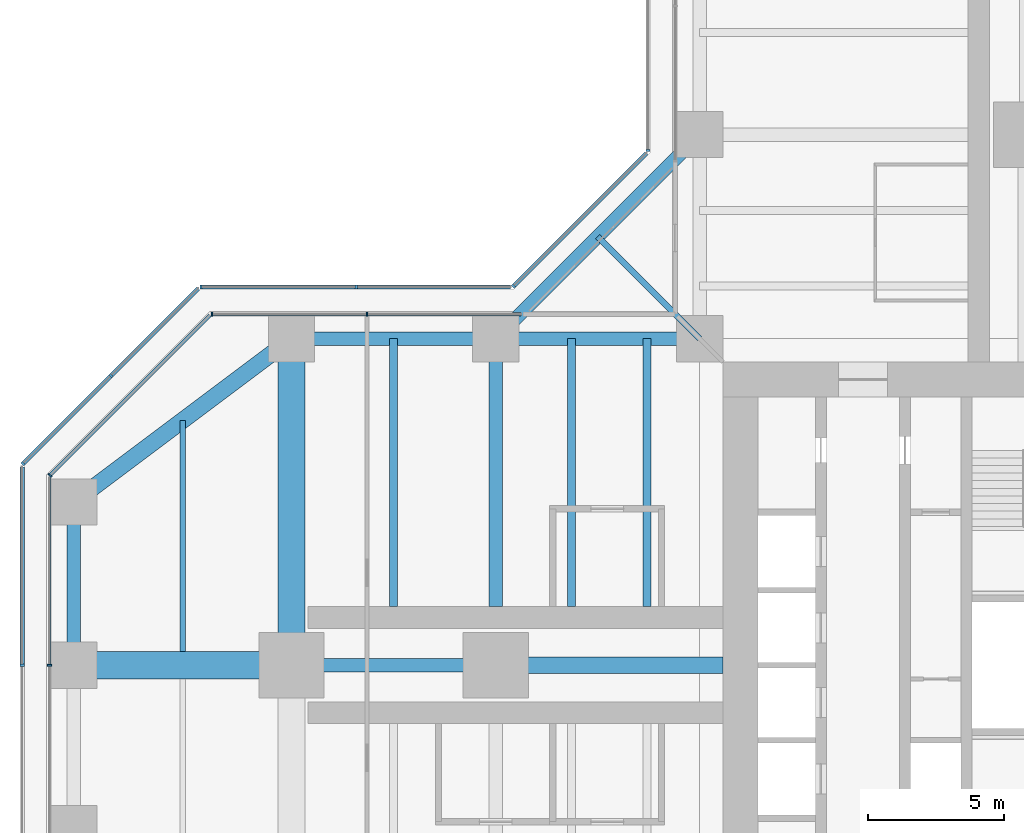
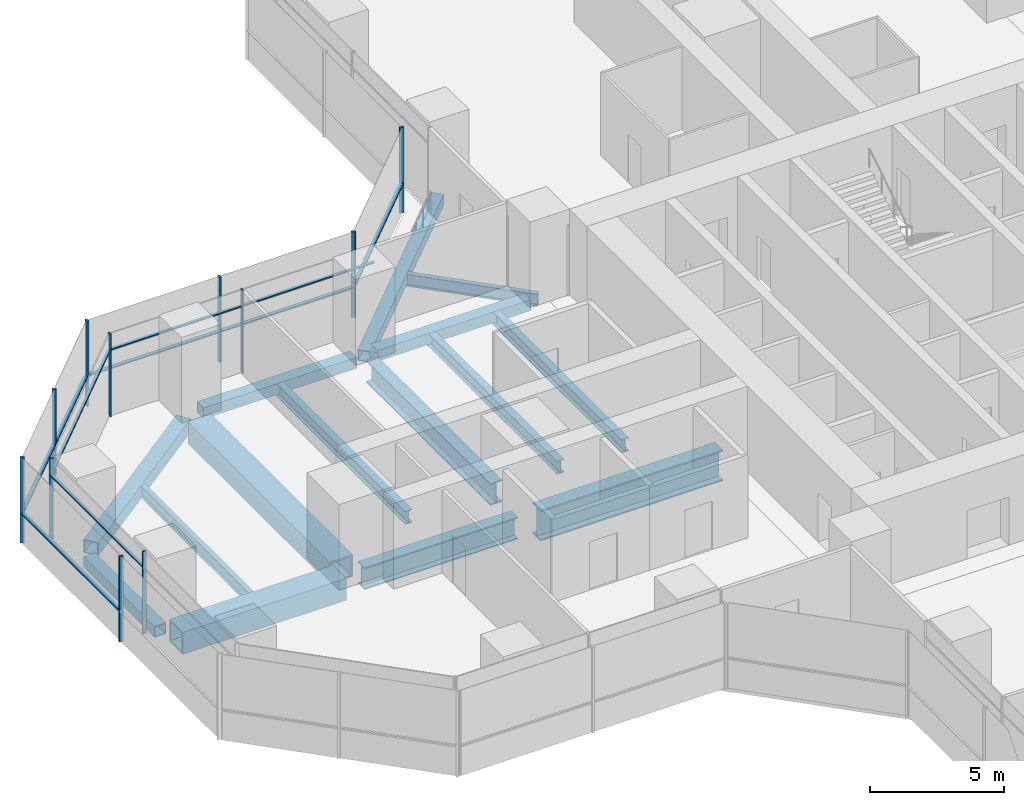
# One storey, part 8 of 22: 21 members, 15 beams, 8 elements without a shape of their own.
"""IFC4 building model written with IfcOpenShell, lengths in metres."""

from ifc_helpers import new_model, si_unit, direction, frame, origin, origin_2d, place, context, subcontext, project, spatial, rectangle, hollow_rectangle, i_section, extrude, material, material_profile, profile_set, type_object, element, aggregate, save


model = new_model("IFC4")

# Units and contexts
model_context = context("Model", 3, precision=1e-05, world=origin(), true_north=direction((0.0, 1.0)))
body_context = subcontext(model_context, "Body", "Model", "MODEL_VIEW")
ifc_project = project(units=[si_unit("LENGTHUNIT", "METRE"), si_unit("AREAUNIT", "SQUARE_METRE"), si_unit("VOLUMEUNIT", "CUBIC_METRE"), si_unit("PLANEANGLEUNIT", "RADIAN"), si_unit("MASSUNIT", "GRAM", prefix="KILO")], contexts=[model_context])

# Site, building, storey
site_placement = place(None, origin())
site = spatial("IfcSite", under=ifc_project, at=site_placement, CompositionType="ELEMENT")
building_placement = place(site_placement, origin())
building = spatial("IfcBuilding", under=site, at=building_placement, Name="Mizan Broadcast Tower", CompositionType="ELEMENT")
storey_placement = place(building_placement, frame((0.0, 0.0, 63.0)))
storey = spatial("IfcBuildingStorey", under=building, at=storey_placement, Name="L12", CompositionType="ELEMENT", Elevation=63.0)

# Beams
ifc_material_1 = material(Name="Steel S355", Category="steel")
ifc_material_profile_1 = material_profile(ifc_material_1, hollow_rectangle(XDim=0.5, YDim=0.5, WallThickness=0.030029296875, at=origin_2d()), Name="BOX 500x500x30")
ifc_profile_set_1 = profile_set([ifc_material_profile_1], Name="Steel S355")
beam_type_1 = type_object("IfcBeamType", Name="EDGE BEAM BOX 500x500x30", PredefinedType="SPANDREL", material=ifc_profile_set_1)
for number, where, z_axis, x_axis, name in (
    (1, (-12.449951171875, 12.0, -0.3798828125), (-1.0, 0.0, 0.0), (0.0, -1.0, 0.0), "Edge beam BOX 500x500x30 L12 west arm"),
    (2, (-19.949951171875, 12.0, -0.3798828125), (-1.0, 0.0, 0.0), (0.0, -1.0, 0.0), "Edge beam BOX 500x500x30 L12 west arm"),
):
    element("IfcBeam", number, at=place(storey_placement, frame(where, z_axis=z_axis, x_axis=x_axis)), inside=storey, type_object=beam_type_1, Name=name, PredefinedType="SPANDREL", context=body_context, shape_type="SweptSolid", body=[
        extrude(hollow_rectangle(XDim=0.5, YDim=0.5, WallThickness=0.030029296875, at=origin_2d()), origin(), (0.0, 0.0, 1.0), 6.60009765625),
    ])
beam_1_placement = place(storey_placement, frame((-35.0, 5.639892578125, -0.3798828125), z_axis=(0.0, -1.0, 0.0), x_axis=(1.0, 0.0, 0.0)))
element("IfcBeam", 3, at=beam_1_placement, inside=storey, type_object=beam_type_1, Name="Edge beam BOX 500x500x30 L12 west arm", PredefinedType="SPANDREL", context=body_context, shape_type="SweptSolid", body=[
    extrude(hollow_rectangle(XDim=0.5, YDim=0.5, WallThickness=0.030029296875, at=origin_2d()), origin(), (0.0, 0.0, 1.0), 5.27978515625),
])
beam_2_placement = place(storey_placement, frame((-12.0, 19.5, -0.3798828125), z_axis=(-0.707106781187, -0.707106781187, 0.0), x_axis=(0.707106781187, -0.707106781187, 0.0)))
element("IfcBeam", 4, at=beam_2_placement, inside=storey, type_object=beam_type_1, Name="Winter garden edge beam L12 N", PredefinedType="SPANDREL", context=body_context, shape_type="SweptSolid", body=[
    extrude(hollow_rectangle(XDim=0.5, YDim=0.5, WallThickness=0.030029296875, at=origin_2d()), origin(), (0.0, 0.0, 1.0), 10.606689453125),
])
ifc_material_2 = material(Name="Steel S355", Category="steel")
ifc_material_profile_2 = material_profile(ifc_material_2, hollow_rectangle(XDim=0.60009765625, YDim=0.60009765625, WallThickness=0.030029296875, at=origin_2d()), Name="BOX 600x600x30")
ifc_profile_set_2 = profile_set([ifc_material_profile_2], Name="Steel S355")
beam_type_2 = type_object("IfcBeamType", Name="EDGE BEAM BOX 600x600x30", PredefinedType="SPANDREL", material=ifc_profile_set_2)
beam_3_placement = place(storey_placement, frame((-27.47998046875, 11.639892578125, -0.429931640625), z_axis=(-0.800013316712, -0.599982243973, 0.0), x_axis=(0.599982243973, -0.800013316712, 0.0)))
element("IfcBeam", 5, at=beam_3_placement, inside=storey, type_object=beam_type_2, Name="Edge beam BOX 600x600x30 L12 west arm", PredefinedType="SPANDREL", context=body_context, shape_type="SweptSolid", body=[
    extrude(hollow_rectangle(XDim=0.60009765625, YDim=0.60009765625, WallThickness=0.030029296875, at=origin_2d()), origin(), (0.0, 0.0, 1.0), 8.7998046875),
])
ifc_material_3 = material(Name="Steel S460", Category="steel")
ifc_material_profile_3 = material_profile(ifc_material_3, hollow_rectangle(XDim=1.0, YDim=1.0, WallThickness=0.06005859375, at=origin_2d()), Name="BOX 1000x1000x60")
ifc_profile_set_3 = profile_set([ifc_material_profile_3], Name="Steel S460")
beam_type_3 = type_object("IfcBeamType", Name="GIRDER BOX 1000x1000x60", PredefinedType="BEAM", material=ifc_profile_set_3)
beam_4_placement = place(storey_placement, frame((-27.47998046875, 0.0, -0.6298828125), z_axis=(-1.0, 0.0, 0.0), x_axis=(0.0, -1.0, 0.0)))
element("IfcBeam", 6, at=beam_4_placement, inside=storey, type_object=beam_type_3, Name="Girder BOX 1000x1000x60 L12 west arm", PredefinedType="BEAM", context=body_context, shape_type="SweptSolid", body=[
    extrude(hollow_rectangle(XDim=1.0, YDim=1.0, WallThickness=0.06005859375, at=origin_2d()), origin(), (0.0, 0.0, 1.0), 7.0400390625),
])
ifc_material_4 = material(Name="Steel S460", Category="steel")
ifc_material_profile_4 = material_profile(ifc_material_4, hollow_rectangle(XDim=1.0, YDim=1.0, WallThickness=0.080078125, at=origin_2d()), Name="BOX 1000x1000x80")
ifc_profile_set_4 = profile_set([ifc_material_profile_4], Name="Steel S460")
beam_type_4 = type_object("IfcBeamType", Name="GIRDER BOX 1000x1000x80", PredefinedType="BEAM", material=ifc_profile_set_4)
beam_5_placement = place(storey_placement, frame((-27.0, 11.280029296875, -0.6298828125), z_axis=(0.0, -1.0, 0.0), x_axis=(1.0, 0.0, 0.0)))
element("IfcBeam", 7, at=beam_5_placement, inside=storey, type_object=beam_type_4, Name="Girder BOX 1000x1000x80 L12 west arm", PredefinedType="BEAM", context=body_context, shape_type="SweptSolid", body=[
    extrude(hollow_rectangle(XDim=1.0, YDim=1.0, WallThickness=0.080078125, at=origin_2d()), origin(), (0.0, 0.0, 1.0), 10.56005859375),
])
ifc_material_5 = material(Name="Steel S460", Category="steel")
ifc_material_profile_5 = material_profile(ifc_material_5, i_section(OverallWidth=0.5, OverallDepth=1.0, WebThickness=0.02490234375, FlangeThickness=0.050048828125, at=origin_2d()), Name="WPG 1000x500")
ifc_profile_set_5 = profile_set([ifc_material_profile_5], Name="Steel S460")
beam_type_5 = type_object("IfcBeamType", Name="GIRDER WPG 1000x500", PredefinedType="BEAM", material=ifc_profile_set_5)
beam_6_placement = place(storey_placement, frame((-19.949951171875, 0.0, -0.6298828125), z_axis=(-1.0, 0.0, 0.0), x_axis=(0.0, -1.0, 0.0)))
element("IfcBeam", 8, at=beam_6_placement, inside=storey, type_object=beam_type_5, Name="Girder WPG 1000x500 L12 west arm", PredefinedType="BEAM", context=body_context, shape_type="SweptSolid", body=[
    extrude(i_section(OverallWidth=0.5, OverallDepth=1.0, WebThickness=0.02490234375, FlangeThickness=0.050048828125, at=origin_2d()), origin(), (0.0, 0.0, 1.0), 6.60009765625),
])
beam_7_placement = place(storey_placement, frame((-19.5, 11.408935546875, -0.6298828125), z_axis=(0.0, -1.0, 0.0), x_axis=(1.0, 0.0, 0.0)))
element("IfcBeam", 9, at=beam_7_placement, inside=storey, type_object=beam_type_5, Name="Girder WPG 1000x500 L12 west arm", PredefinedType="BEAM", context=body_context, shape_type="SweptSolid", body=[
    extrude(i_section(OverallWidth=0.5, OverallDepth=1.0, WebThickness=0.02490234375, FlangeThickness=0.050048828125, at=origin_2d()), origin(), (0.0, 0.0, 1.0), 9.259033203125),
])
ifc_material_6 = material(Name="Steel S460", Category="steel")
ifc_material_profile_6 = material_profile(ifc_material_6, i_section(OverallWidth=0.60009765625, OverallDepth=1.39990234375, WebThickness=0.02490234375, FlangeThickness=0.06005859375, at=origin_2d()), Name="WPG 1400x600")
ifc_profile_set_6 = profile_set([ifc_material_profile_6], Name="Steel S460")
beam_type_6 = type_object("IfcBeamType", Name="GIRDER WPG 1400x600", PredefinedType="BEAM", material=ifc_profile_set_6)
beam_8_placement = place(storey_placement, frame((-11.14990234375, 0.0, -0.830078125), z_axis=(-1.0, 0.0, 0.0), x_axis=(0.0, -1.0, 0.0)))
element("IfcBeam", 10, at=beam_8_placement, inside=storey, type_object=beam_type_6, Name="Girder WPG 1400x600 L12 west arm", PredefinedType="BEAM", context=body_context, shape_type="SweptSolid", body=[
    extrude(i_section(OverallWidth=0.60009765625, OverallDepth=1.39990234375, WebThickness=0.02490234375, FlangeThickness=0.06005859375, at=origin_2d()), origin(), (0.0, 0.0, 1.0), 7.84912109375),
])

# Curtain wall, members
ifc_material_7 = material(Name="Aluminium framed glazing", Category="aluminium")
curtain_wall_type_1 = type_object("IfcCurtainWallType", Name="INNER SKIN LOW ZONE", PredefinedType="USERDEFINED", material=ifc_material_7)
curtain_wall_1_placement = place(storey_placement, origin())
curtain_wall_1 = element("IfcCurtainWall", 11, at=curtain_wall_1_placement, inside=storey, type_object=curtain_wall_type_1, Name="Inner skin low zone L12 W side", ObjectType="INNER SKIN LOW ZONE", PredefinedType="USERDEFINED")
ifc_material_8 = material(Name="Aluminium, pale anodised", Category="aluminium")
ifc_material_profile_7 = material_profile(ifc_material_8, rectangle(XDim=0.159912109375, YDim=0.06005859375, at=origin_2d()), Name="MULLION 160x60")
ifc_profile_set_7 = profile_set([ifc_material_profile_7], Name="Aluminium, pale anodised")
member_type_1 = type_object("IfcMemberType", Name="INNER SKIN MULLION 60x160", PredefinedType="MULLION", material=ifc_profile_set_7)
member_1_placement = place(storey_placement, frame((-24.229248046875, 12.89990234375, 0.0), z_axis=(0.0, 0.0, 1.0), x_axis=(0.0, -1.0, 0.0)))
member_1 = element("IfcMember", 12, at=member_1_placement, type_object=member_type_1, Name="Inner skin low zone L12 W side mullion 2", PredefinedType="MULLION", context=body_context, shape_type="SweptSolid", body=[
    extrude(rectangle(XDim=0.159912109375, YDim=0.06005859375, at=origin_2d()), origin(), (0.0, 0.0, 1.0), 3.77001953125),
])
member_2_placement = place(storey_placement, frame((-29.928466796875, 12.89990234375, 0.0), z_axis=(0.0, 0.0, 1.0), x_axis=(0.0, -1.0, 0.0)))
member_2 = element("IfcMember", 13, at=member_2_placement, type_object=member_type_1, Name="Inner skin low zone L12 W side mullion 3", PredefinedType="MULLION", context=body_context, shape_type="SweptSolid", body=[
    extrude(rectangle(XDim=0.159912109375, YDim=0.06005859375, at=origin_2d()), origin(), (0.0, 0.0, 1.0), 3.77001953125),
])

# Curtain wall, member
curtain_wall_2_placement = place(storey_placement, origin())
curtain_wall_2 = element("IfcCurtainWall", 14, at=curtain_wall_2_placement, inside=storey, type_object=curtain_wall_type_1, Name="Inner skin low zone L12 W chamfer", ObjectType="INNER SKIN LOW ZONE", PredefinedType="USERDEFINED")
member_3_placement = place(storey_placement, frame((-35.87890625, 6.979736328125, 0.0), z_axis=(0.0, 0.0, 1.0), x_axis=(0.707106781187, -0.707106781187, 0.0)))
member_3 = element("IfcMember", 15, at=member_3_placement, type_object=member_type_1, Name="Inner skin low zone L12 W chamfer mullion 2", PredefinedType="MULLION", context=body_context, shape_type="SweptSolid", body=[
    extrude(rectangle(XDim=0.159912109375, YDim=0.06005859375, at=origin_2d()), origin(), (0.0, 0.0, 1.0), 3.77001953125),
])

curtain_wall_3_placement = place(storey_placement, origin())
curtain_wall_3 = element("IfcCurtainWall", 16, at=curtain_wall_3_placement, inside=storey, type_object=curtain_wall_type_1, Name="Inner skin low zone L12 W end", ObjectType="INNER SKIN LOW ZONE", PredefinedType="USERDEFINED")
member_4_placement = place(storey_placement, frame((-35.89990234375, 0.0, 0.0), z_axis=(0.0, 0.0, 1.0), x_axis=(1.0, 0.0, 0.0)))
member_4 = element("IfcMember", 17, at=member_4_placement, type_object=member_type_1, Name="Inner skin low zone L12 W end mullion 2", PredefinedType="MULLION", context=body_context, shape_type="SweptSolid", body=[
    extrude(rectangle(XDim=0.159912109375, YDim=0.06005859375, at=origin_2d()), origin(), (0.0, 0.0, 1.0), 3.77001953125),
])

# Member
ifc_material_9 = material(Name="Aluminium, pale anodised", Category="aluminium")
ifc_material_profile_8 = material_profile(ifc_material_9, rectangle(XDim=0.1201171875, YDim=0.06005859375, at=origin_2d()), Name="TRANSOM 120x60")
ifc_profile_set_8 = profile_set([ifc_material_profile_8], Name="Aluminium, pale anodised")
member_type_2 = type_object("IfcMemberType", Name="INNER SKIN TRANSOM 60x120", PredefinedType="USERDEFINED", material=ifc_profile_set_8)
member_5_placement = place(storey_placement, frame((-18.56005859375, 12.89990234375, 3.030029296875), z_axis=(-1.0, 0.0, 0.0), x_axis=(0.0, -1.0, 0.0)))
member_5 = element("IfcMember", 18, at=member_5_placement, type_object=member_type_2, Name="Inner skin low zone L12 W side transom 1.1", ObjectType="TRANSOM", PredefinedType="USERDEFINED", context=body_context, shape_type="SweptSolid", body=[
    extrude(rectangle(XDim=0.1201171875, YDim=0.06005859375, at=origin_2d()), origin(), (0.0, 0.0, 1.0), 5.63916015625),
])

member_6_placement = place(storey_placement, frame((-24.25927734375, 12.89990234375, 3.030029296875), z_axis=(-1.0, 0.0, 0.0), x_axis=(0.0, -1.0, 0.0)))
member_6 = element("IfcMember", 19, at=member_6_placement, type_object=member_type_2, Name="Inner skin low zone L12 W side transom 2.1", ObjectType="TRANSOM", PredefinedType="USERDEFINED", context=body_context, shape_type="SweptSolid", body=[
    extrude(rectangle(XDim=0.1201171875, YDim=0.06005859375, at=origin_2d()), origin(), (0.0, 0.0, 1.0), 5.639404296875),
])

aggregate(curtain_wall_1, [member_1, member_2, member_5, member_6])

member_7_placement = place(storey_placement, frame((-30.0009765625, 12.857666015625, 3.030029296875), z_axis=(-0.707106781187, -0.707106781187, 0.0), x_axis=(0.707106781187, -0.707106781187, 0.0)))
member_7 = element("IfcMember", 20, at=member_7_placement, type_object=member_type_2, Name="Inner skin low zone L12 W chamfer transom 1.1", ObjectType="TRANSOM", PredefinedType="USERDEFINED", context=body_context, shape_type="SweptSolid", body=[
    extrude(rectangle(XDim=0.1201171875, YDim=0.06005859375, at=origin_2d()), origin(), (0.0, 0.0, 1.0), 8.28271484375),
])

aggregate(curtain_wall_2, [member_3, member_7])

member_8_placement = place(storey_placement, frame((-35.89990234375, 6.898681640625, 3.030029296875), z_axis=(0.0, -1.0, 0.0), x_axis=(1.0, 0.0, 0.0)))
member_8 = element("IfcMember", 21, at=member_8_placement, type_object=member_type_2, Name="Inner skin low zone L12 W end transom 1.1", ObjectType="TRANSOM", PredefinedType="USERDEFINED", context=body_context, shape_type="SweptSolid", body=[
    extrude(rectangle(XDim=0.1201171875, YDim=0.06005859375, at=origin_2d()), origin(), (0.0, 0.0, 1.0), 6.86865234375),
])

aggregate(curtain_wall_3, [member_4, member_8])

# Curtain wall, member
ifc_material_10 = material(Name="Aluminium framed glazing", Category="aluminium")
curtain_wall_type_2 = type_object("IfcCurtainWallType", Name="OUTER SKIN", PredefinedType="USERDEFINED", material=ifc_material_10)
curtain_wall_4_placement = place(storey_placement, origin())
curtain_wall_4 = element("IfcCurtainWall", 22, at=curtain_wall_4_placement, inside=storey, type_object=curtain_wall_type_2, Name="Outer skin L12 N side", ObjectType="OUTER SKIN", PredefinedType="USERDEFINED")
ifc_material_11 = material(Name="Aluminium, pale anodised", Category="aluminium")
ifc_material_profile_9 = material_profile(ifc_material_11, rectangle(XDim=0.159912109375, YDim=0.080078125, at=origin_2d()), Name="MULLION 160x80")
ifc_profile_set_9 = profile_set([ifc_material_profile_9], Name="Aluminium, pale anodised")
member_type_3 = type_object("IfcMemberType", Name="OUTER SKIN MULLION 80x160", PredefinedType="MULLION", material=ifc_profile_set_9)
member_9_placement = place(storey_placement, frame((-13.89990234375, 18.912841796875, 0.0), z_axis=(0.0, 0.0, 1.0), x_axis=(1.0, 0.0, 0.0)))
member_9 = element("IfcMember", 23, at=member_9_placement, type_object=member_type_3, Name="Outer skin L12 N side mullion 3", PredefinedType="MULLION", context=body_context, shape_type="SweptSolid", body=[
    extrude(rectangle(XDim=0.159912109375, YDim=0.080078125, at=origin_2d()), origin(), (0.0, 0.0, 1.0), 3.89990234375),
])
aggregate(curtain_wall_4, [member_9])

curtain_wall_5_placement = place(storey_placement, origin())
curtain_wall_5 = element("IfcCurtainWall", 24, at=curtain_wall_5_placement, inside=storey, type_object=curtain_wall_type_2, Name="Outer skin L12 W chamfer", ObjectType="OUTER SKIN", PredefinedType="USERDEFINED")
member_10_placement = place(storey_placement, frame((-18.844482421875, 13.92822265625, 0.0), z_axis=(0.0, 0.0, 1.0), x_axis=(0.707106781187, -0.707106781187, 0.0)))
member_10 = element("IfcMember", 25, at=member_10_placement, type_object=member_type_3, Name="Outer skin L12 W chamfer mullion 2", PredefinedType="MULLION", context=body_context, shape_type="SweptSolid", body=[
    extrude(rectangle(XDim=0.159912109375, YDim=0.080078125, at=origin_2d()), origin(), (0.0, 0.0, 1.0), 3.89990234375),
])

# Curtain wall, members
curtain_wall_6_placement = place(storey_placement, origin())
curtain_wall_6 = element("IfcCurtainWall", 26, at=curtain_wall_6_placement, inside=storey, type_object=curtain_wall_type_2, Name="Outer skin L12 W side", ObjectType="OUTER SKIN", PredefinedType="USERDEFINED")
member_11_placement = place(storey_placement, frame((-24.622802734375, 13.89990234375, 0.0), z_axis=(0.0, 0.0, 1.0), x_axis=(0.0, -1.0, 0.0)))
member_11 = element("IfcMember", 27, at=member_11_placement, type_object=member_type_3, Name="Outer skin L12 W side mullion 2", PredefinedType="MULLION", context=body_context, shape_type="SweptSolid", body=[
    extrude(rectangle(XDim=0.159912109375, YDim=0.080078125, at=origin_2d()), origin(), (0.0, 0.0, 1.0), 3.89990234375),
])
member_12_placement = place(storey_placement, frame((-30.332763671875, 13.89990234375, 0.0), z_axis=(0.0, 0.0, 1.0), x_axis=(0.0, -1.0, 0.0)))
member_12 = element("IfcMember", 28, at=member_12_placement, type_object=member_type_3, Name="Outer skin L12 W side mullion 3", PredefinedType="MULLION", context=body_context, shape_type="SweptSolid", body=[
    extrude(rectangle(XDim=0.159912109375, YDim=0.080078125, at=origin_2d()), origin(), (0.0, 0.0, 1.0), 3.89990234375),
])

curtain_wall_7_placement = place(storey_placement, origin())
curtain_wall_7 = element("IfcCurtainWall", 29, at=curtain_wall_7_placement, inside=storey, type_object=curtain_wall_type_2, Name="Outer skin L12 W chamfer", ObjectType="OUTER SKIN", PredefinedType="USERDEFINED")
member_13_placement = place(storey_placement, frame((-33.636474609375, 10.636474609375, 0.0), z_axis=(0.0, 0.0, 1.0), x_axis=(0.707106781187, -0.707106781187, 0.0)))
member_13 = element("IfcMember", 30, at=member_13_placement, type_object=member_type_3, Name="Outer skin L12 W chamfer mullion 2", PredefinedType="MULLION", context=body_context, shape_type="SweptSolid", body=[
    extrude(rectangle(XDim=0.159912109375, YDim=0.080078125, at=origin_2d()), origin(), (0.0, 0.0, 1.0), 3.89990234375),
])
member_14_placement = place(storey_placement, frame((-36.871826171875, 7.401123046875, 0.0), z_axis=(0.0, 0.0, 1.0), x_axis=(0.707106781187, -0.707106781187, 0.0)))
member_14 = element("IfcMember", 31, at=member_14_placement, type_object=member_type_3, Name="Outer skin L12 W chamfer mullion 3", PredefinedType="MULLION", context=body_context, shape_type="SweptSolid", body=[
    extrude(rectangle(XDim=0.159912109375, YDim=0.080078125, at=origin_2d()), origin(), (0.0, 0.0, 1.0), 3.89990234375),
])

# Curtain wall, member
curtain_wall_8_placement = place(storey_placement, origin())
curtain_wall_8 = element("IfcCurtainWall", 32, at=curtain_wall_8_placement, inside=storey, type_object=curtain_wall_type_2, Name="Outer skin L12 W end", ObjectType="OUTER SKIN", PredefinedType="USERDEFINED")
member_15_placement = place(storey_placement, frame((-36.89990234375, 0.0, 0.0), z_axis=(0.0, 0.0, 1.0), x_axis=(1.0, 0.0, 0.0)))
member_15 = element("IfcMember", 33, at=member_15_placement, type_object=member_type_3, Name="Outer skin L12 W end mullion 2", PredefinedType="MULLION", context=body_context, shape_type="SweptSolid", body=[
    extrude(rectangle(XDim=0.159912109375, YDim=0.080078125, at=origin_2d()), origin(), (0.0, 0.0, 1.0), 3.89990234375),
])

# Member
ifc_material_12 = material(Name="Aluminium, pale anodised", Category="aluminium")
ifc_material_profile_10 = material_profile(ifc_material_12, rectangle(XDim=0.159912109375, YDim=0.06005859375, at=origin_2d()), Name="TRANSOM 160x60")
ifc_profile_set_10 = profile_set([ifc_material_profile_10], Name="Aluminium, pale anodised")
member_type_4 = type_object("IfcMemberType", Name="OUTER SKIN TRANSOM 60x160", PredefinedType="USERDEFINED", material=ifc_profile_set_10)
member_16_placement = place(storey_placement, frame((-13.95654296875, 18.816162109375, 1.39990234375), z_axis=(-0.707106781187, -0.707106781187, 0.0), x_axis=(0.707106781187, -0.707106781187, 0.0)))
member_16 = element("IfcMember", 34, at=member_16_placement, type_object=member_type_4, Name="Outer skin L12 W chamfer transom 1.1", ObjectType="TRANSOM", PredefinedType="USERDEFINED", context=body_context, shape_type="SweptSolid", body=[
    extrude(rectangle(XDim=0.159912109375, YDim=0.06005859375, at=origin_2d()), origin(), (0.0, 0.0, 1.0), 6.87255859375),
])

aggregate(curtain_wall_5, [member_10, member_16])

member_17_placement = place(storey_placement, frame((-18.952880859375, 13.89990234375, 1.39990234375), z_axis=(-1.0, 0.0, 0.0), x_axis=(0.0, -1.0, 0.0)))
member_17 = element("IfcMember", 35, at=member_17_placement, type_object=member_type_4, Name="Outer skin L12 W side transom 1.1", ObjectType="TRANSOM", PredefinedType="USERDEFINED", context=body_context, shape_type="SweptSolid", body=[
    extrude(rectangle(XDim=0.159912109375, YDim=0.06005859375, at=origin_2d()), origin(), (0.0, 0.0, 1.0), 5.6298828125),
])

member_18_placement = place(storey_placement, frame((-24.662841796875, 13.89990234375, 1.39990234375), z_axis=(-1.0, 0.0, 0.0), x_axis=(0.0, -1.0, 0.0)))
member_18 = element("IfcMember", 36, at=member_18_placement, type_object=member_type_4, Name="Outer skin L12 W side transom 2.1", ObjectType="TRANSOM", PredefinedType="USERDEFINED", context=body_context, shape_type="SweptSolid", body=[
    extrude(rectangle(XDim=0.159912109375, YDim=0.06005859375, at=origin_2d()), origin(), (0.0, 0.0, 1.0), 5.6298828125),
])

aggregate(curtain_wall_6, [member_11, member_12, member_17, member_18])

member_19_placement = place(storey_placement, frame((-30.429443359375, 13.843505859375, 1.39990234375), z_axis=(-0.707106781187, -0.707106781187, 0.0), x_axis=(0.707106781187, -0.707106781187, 0.0)))
member_19 = element("IfcMember", 37, at=member_19_placement, type_object=member_type_4, Name="Outer skin L12 W chamfer transom 1.1", ObjectType="TRANSOM", PredefinedType="USERDEFINED", context=body_context, shape_type="SweptSolid", body=[
    extrude(rectangle(XDim=0.159912109375, YDim=0.06005859375, at=origin_2d()), origin(), (0.0, 0.0, 1.0), 4.495361328125),
])

member_20_placement = place(storey_placement, frame((-33.664794921875, 10.608154296875, 1.39990234375), z_axis=(-0.707106781187, -0.707106781187, 0.0), x_axis=(0.707106781187, -0.707106781187, 0.0)))
member_20 = element("IfcMember", 38, at=member_20_placement, type_object=member_type_4, Name="Outer skin L12 W chamfer transom 2.1", ObjectType="TRANSOM", PredefinedType="USERDEFINED", context=body_context, shape_type="SweptSolid", body=[
    extrude(rectangle(XDim=0.159912109375, YDim=0.06005859375, at=origin_2d()), origin(), (0.0, 0.0, 1.0), 4.495361328125),
])

aggregate(curtain_wall_7, [member_13, member_14, member_19, member_20])

member_21_placement = place(storey_placement, frame((-36.89990234375, 7.292724609375, 1.39990234375), z_axis=(0.0, -1.0, 0.0), x_axis=(1.0, 0.0, 0.0)))
member_21 = element("IfcMember", 39, at=member_21_placement, type_object=member_type_4, Name="Outer skin L12 W end transom 1.1", ObjectType="TRANSOM", PredefinedType="USERDEFINED", context=body_context, shape_type="SweptSolid", body=[
    extrude(rectangle(XDim=0.159912109375, YDim=0.06005859375, at=origin_2d()), origin(), (0.0, 0.0, 1.0), 7.252685546875),
])

aggregate(curtain_wall_8, [member_15, member_21])

# Beams
ifc_material_13 = material(Name="Steel S355", Category="steel")
ifc_material_profile_11 = material_profile(ifc_material_13, i_section(OverallWidth=0.300048828125, OverallDepth=0.590087890625, WebThickness=0.012939453125, FlangeThickness=0.02490234375, FilletRadius=0.027099609375, at=origin_2d()), Name="HEA 600")
ifc_profile_set_11 = profile_set([ifc_material_profile_11], Name="Steel S355")
beam_type_7 = type_object("IfcBeamType", Name="SECONDARY BEAM HEA 600", PredefinedType="JOIST", material=ifc_profile_set_11)
for number, where, z_axis, x_axis, name in (
    (40, (-13.933349609375, 12.0, -0.425048828125), (0.0, -1.0, 0.0), (1.0, 0.0, 0.0), "Secondary beam HEA 600 L12 west arm"),
    (41, (-16.716552734375, 12.0, -0.425048828125), (0.0, -1.0, 0.0), (1.0, 0.0, 0.0), "Secondary beam HEA 600 L12 west arm"),
    (42, (-23.25, 12.0, -0.425048828125), (0.0, -1.0, 0.0), (1.0, 0.0, 0.0), "Secondary beam HEA 600 L12 west arm"),
):
    element("IfcBeam", number, at=place(storey_placement, frame(where, z_axis=z_axis, x_axis=x_axis)), inside=storey, type_object=beam_type_7, Name=name, PredefinedType="JOIST", context=body_context, shape_type="SweptSolid", body=[
        extrude(i_section(OverallWidth=0.300048828125, OverallDepth=0.590087890625, WebThickness=0.012939453125, FlangeThickness=0.02490234375, FilletRadius=0.027099609375, at=origin_2d()), origin(), (0.0, 0.0, 1.0), 9.85009765625),
    ])
ifc_material_14 = material(Name="Steel S355", Category="steel")
ifc_material_profile_12 = material_profile(ifc_material_14, i_section(OverallWidth=0.2099609375, OverallDepth=0.550048828125, WebThickness=0.010986328125, FlangeThickness=0.01708984375, FilletRadius=0.02392578125, at=origin_2d()), Name="IPE 550")
ifc_profile_set_12 = profile_set([ifc_material_profile_12], Name="Steel S355")
beam_type_8 = type_object("IfcBeamType", Name="SECONDARY BEAM IPE 550", PredefinedType="JOIST", material=ifc_profile_set_12)
beam_9_placement = place(storey_placement, frame((-31.0, 9.0, -0.405029296875), z_axis=(0.0, -1.0, 0.0), x_axis=(1.0, 0.0, 0.0)))
element("IfcBeam", 43, at=beam_9_placement, inside=storey, type_object=beam_type_8, Name="Secondary beam IPE 550 L12 west arm", PredefinedType="JOIST", context=body_context, shape_type="SweptSolid", body=[
    extrude(i_section(OverallWidth=0.2099609375, OverallDepth=0.550048828125, WebThickness=0.010986328125, FlangeThickness=0.01708984375, FilletRadius=0.02392578125, at=origin_2d()), origin(), (0.0, 0.0, 1.0), 8.5),
])
beam_10_placement = place(storey_placement, frame((-12.0, 12.0, -0.405029296875), z_axis=(-0.707106781187, 0.707106781187, 0.0), x_axis=(-0.707106781187, -0.707106781187, 0.0)))
element("IfcBeam", 44, at=beam_10_placement, inside=storey, type_object=beam_type_8, Name="Winter garden beam L12 N", PredefinedType="JOIST", context=body_context, shape_type="SweptSolid", body=[
    extrude(i_section(OverallWidth=0.2099609375, OverallDepth=0.550048828125, WebThickness=0.010986328125, FlangeThickness=0.01708984375, FilletRadius=0.02392578125, at=origin_2d()), origin(), (0.0, 0.0, 1.0), 5.30322265625),
])

save(model, "model.ifc")
